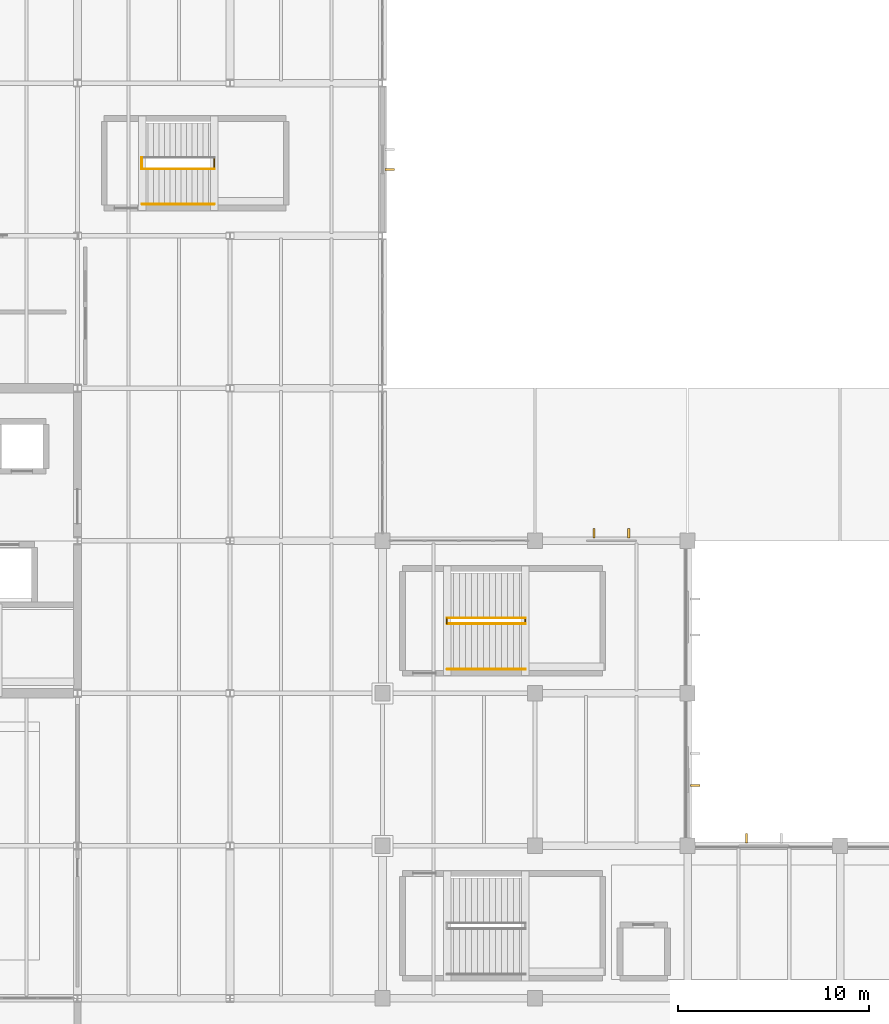
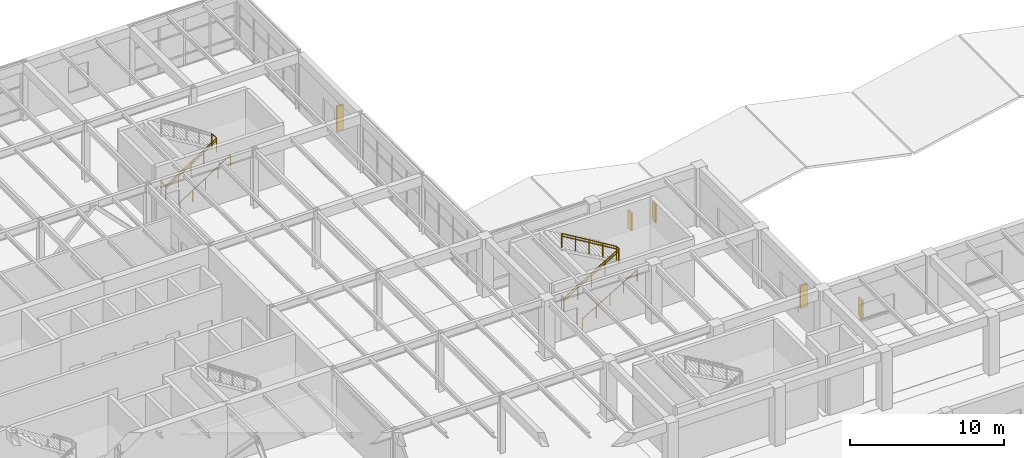
# One storey, part 53 of 60: 10 railings, 5 shading devices.
"""IFC4 building model written with IfcOpenShell, lengths in metres."""

import ifcopenshell
import ifcopenshell.guid

model = None  # the IFC model being written
_history = None  # IfcOwnerHistory: only IFC2X3 demands one
_inside = {}  # id of a spatial element -> (the spatial element, [elements in it])
_under = {}  # id of a project, library or spatial element -> (it, [spatial elements below it])
_declared = {}  # id of a project -> (the project, [libraries it declares])
_typed = {}  # id of a type object -> (the type object, [elements of that type])
_made_of = {}  # id of a material, layer set ... -> (it, [elements and type objects made of it])


def new_model(schema):
    """Start an empty IFC model of exactly this schema.

    Asked for "IFC4X3", IfcOpenShell would pick the latest addendum, in which some entities
    have other attributes; the version numbers below select the first issue.
    IFC2X3 requires an IfcOwnerHistory on every rooted entity: one is made here for all.
    """
    global model, _history
    if schema == "IFC4X3":
        model = ifcopenshell.file(schema_version=(4, 3, 0, 0))
    else:
        model = ifcopenshell.file(schema=schema)
    _inside.clear()
    _under.clear()
    _declared.clear()
    _typed.clear()
    _made_of.clear()
    _history = None
    if model.schema == "IFC2X3":
        org = make("IfcOrganization", Name="unknown")
        user = make(
            "IfcPersonAndOrganization",
            ThePerson=make("IfcPerson", FamilyName="unknown"),
            TheOrganization=org,
        )
        app = make(
            "IfcApplication",
            ApplicationDeveloper=org,
            Version="unknown",
            ApplicationFullName="unknown",
            ApplicationIdentifier="unknown",
        )
        _history = make(
            "IfcOwnerHistory",
            OwningUser=user,
            OwningApplication=app,
            ChangeAction="ADDED",
            CreationDate=0,
        )
    return model


def make(cls, **values):
    """One entity of the class cls with the attributes given. An attribute that is None is left unset."""
    return model.create_entity(
        cls, **{name: value for name, value in values.items() if value is not None}
    )


def rooted(cls, **values):
    """An entity with a GlobalId (a new one), such as an element, a storey or a relation."""
    return make(cls, GlobalId=ifcopenshell.guid.new(), OwnerHistory=_history, **values)


def si_unit(unit_type, name, prefix=None):
    """IfcSIUnit, for example si_unit("LENGTHUNIT", "METRE", prefix="MILLI")."""
    return make("IfcSIUnit", UnitType=unit_type, Prefix=prefix, Name=name)


def assignment(units):
    """IfcUnitAssignment: the units of a project."""
    return None if units is None else make("IfcUnitAssignment", Units=units)


def point(xyz):
    """IfcCartesianPoint."""
    return None if xyz is None else make("IfcCartesianPoint", Coordinates=xyz)


def direction(xyz):
    """IfcDirection."""
    return None if xyz is None else make("IfcDirection", DirectionRatios=xyz)


def frame(location, z_axis=None, x_axis=None):
    """IfcAxis2Placement3D, a coordinate frame: its origin and axes. An axis left out is left unset."""
    return make(
        "IfcAxis2Placement3D",
        Location=point(location),
        Axis=direction(z_axis),
        RefDirection=direction(x_axis),
    )


def frame_2d(location, x_axis=None):
    """IfcAxis2Placement2D, a coordinate frame in the plane: its origin and x axis."""
    return make(
        "IfcAxis2Placement2D", Location=point(location), RefDirection=direction(x_axis)
    )


def origin():
    """The frame at (0, 0, 0) with its axes left unset."""
    return frame((0.0, 0.0, 0.0))


def origin_2d():
    """The frame at (0, 0) in the plane with its x axis left unset."""
    return frame_2d((0.0, 0.0))


def place(relative_to, where):
    """IfcLocalPlacement: puts the frame where relative to a parent placement (None: the world)."""
    return make(
        "IfcLocalPlacement", PlacementRelTo=relative_to, RelativePlacement=where
    )


def context(
    kind, dimensions, precision=None, world=None, true_north=None, identifier=None
):
    """IfcGeometricRepresentationContext, for example the 3D "Model" context."""
    return make(
        "IfcGeometricRepresentationContext",
        ContextIdentifier=identifier,
        ContextType=kind,
        CoordinateSpaceDimension=dimensions,
        Precision=precision,
        WorldCoordinateSystem=world,
        TrueNorth=true_north,
    )


def subcontext(parent, identifier, kind, view, scale=None):
    """IfcGeometricRepresentationSubContext, for example "Body" below "Model"."""
    return make(
        "IfcGeometricRepresentationSubContext",
        ContextIdentifier=identifier,
        ContextType=kind,
        ParentContext=parent,
        TargetScale=scale,
        TargetView=view,
    )


def project(units=None, contexts=None):
    """IfcProject with its units and contexts."""
    return rooted(
        "IfcProject",
        Name="project",
        RepresentationContexts=contexts,
        UnitsInContext=assignment(units),
    )


def spatial(cls, under=None, at=None, **own):
    """A site, building, storey or space (cls), placed at a placement, below another one or the project."""
    s = rooted(cls, ObjectPlacement=at, **own)
    if under is not None:
        _under.setdefault(under.id(), (under, []))[1].append(s)
    return s


def profile(cls, at=None, kind="AREA", **sizes):
    """A parametric profile (cls). Its sizes go by their IFC names, for example OverallWidth=200.0."""
    return make(cls, ProfileType=kind, Position=at, **sizes)


def rectangle(**sizes):
    """IfcRectangleProfileDef."""
    return profile("IfcRectangleProfileDef", **sizes)


def circle(**sizes):
    """IfcCircleProfileDef."""
    return profile("IfcCircleProfileDef", **sizes)


def extrude(swept, where, along, depth):
    """IfcExtrudedAreaSolid: the profile swept, set in the frame where, extruded along a direction by depth."""
    return make(
        "IfcExtrudedAreaSolid",
        SweptArea=swept,
        Position=where,
        ExtrudedDirection=direction(along),
        Depth=depth,
    )


def shape(context_of_items, identifier, shape_type, items):
    """IfcShapeRepresentation: the items that make up one representation, for example the "Body"."""
    return make(
        "IfcShapeRepresentation",
        ContextOfItems=context_of_items,
        RepresentationIdentifier=identifier,
        RepresentationType=shape_type,
        Items=items,
    )


def material(Name=None, Category=None):
    """IfcMaterial."""
    return make("IfcMaterial", Name=Name, Category=Category)


def made_of(thing, what):
    """Note that an element or type object is made of a material, layer set ...; save() writes the relation."""
    if what is not None:
        _made_of.setdefault(what.id(), (what, []))[1].append(thing)
    return thing


def type_object(cls, material=None, **own):
    """A type object (cls), such as IfcWallType, which elements share."""
    return made_of(rooted(cls, **own), material)


def element(
    cls,
    number,
    at=None,
    inside=None,
    cuts=None,
    type_object=None,
    material=None,
    context=None,
    identifier="Body",
    shape_type=None,
    held_by="IfcProductDefinitionShape",
    body=None,
    shapes=None,
    **own,
):
    """One element of the class cls, such as IfcWall. Its Tag is "e" and its number.

    at: its placement. inside: the storey or other place that contains it. cuts: it is an
    opening in that element (IfcRelVoidsElement). A single representation is given by context,
    identifier, shape_type and body (its items); several are given by shapes. held_by: the class
    of the entity that holds the representations. save() writes the other relations.
    """
    e = rooted(cls, Tag="e%d" % number, ObjectPlacement=at, **own)
    if body is not None:
        shapes = [shape(context, identifier, shape_type, body)]
    if shapes is not None:
        e.Representation = make(held_by, Representations=shapes)
    if inside is not None:
        _inside.setdefault(inside.id(), (inside, []))[1].append(e)
    if cuts is not None:
        rooted(
            "IfcRelVoidsElement", RelatingBuildingElement=cuts, RelatedOpeningElement=e
        )
    if type_object is not None:
        _typed.setdefault(type_object.id(), (type_object, []))[1].append(e)
    return made_of(e, material)


def aggregate(whole, parts):
    """IfcRelAggregates: a whole, such as a stair, and the parts it consists of."""
    return rooted("IfcRelAggregates", RelatingObject=whole, RelatedObjects=parts)


def save(model, path):
    """Write the relations noted so far, then the file.

    IfcRelAggregates (storeys below a building ...), IfcRelContainedInSpatialStructure (elements
    in a storey), IfcRelDefinesByType, IfcRelAssociatesMaterial and IfcRelDeclares: one each for
    every whole, place, type object, material and project.
    """
    for whole, parts in _under.values():
        aggregate(whole, parts)
    for where, things in _inside.values():
        rooted(
            "IfcRelContainedInSpatialStructure",
            RelatedElements=things,
            RelatingStructure=where,
        )
    for kind, things in _typed.values():
        rooted("IfcRelDefinesByType", RelatedObjects=things, RelatingType=kind)
    for what, things in _made_of.values():
        rooted("IfcRelAssociatesMaterial", RelatedObjects=things, RelatingMaterial=what)
    for by, libraries in _declared.values():
        rooted("IfcRelDeclares", RelatingContext=by, RelatedDefinitions=libraries)
    model.write(path)


model = new_model("IFC4")

# Units and contexts
model_context = context("Model", 3, precision=1e-05, world=origin(), true_north=direction((0.0, 1.0)))
body_context = subcontext(model_context, "Body", "Model", "MODEL_VIEW")
ifc_project = project(units=[si_unit("LENGTHUNIT", "METRE"), si_unit("AREAUNIT", "SQUARE_METRE"), si_unit("VOLUMEUNIT", "CUBIC_METRE"), si_unit("PLANEANGLEUNIT", "RADIAN"), si_unit("MASSUNIT", "GRAM", prefix="KILO")], contexts=[model_context])

# Site, building, storey
site_placement = place(None, origin())
site = spatial("IfcSite", under=ifc_project, at=site_placement, CompositionType="ELEMENT")
building_placement = place(site_placement, origin())
building = spatial("IfcBuilding", under=site, at=building_placement, Name="Varnela Railside Interchange", CompositionType="ELEMENT")
storey_placement = place(building_placement, frame((0.0, 0.0, 6.300048828125)))
storey = spatial("IfcBuildingStorey", under=building, at=storey_placement, Name="L01", CompositionType="ELEMENT", Elevation=6.300048828125)

# Shading devices
ifc_material_1 = material(Name="Concrete C40 precast", Category="concrete")
shading_device_type = type_object("IfcShadingDeviceType", Name="Paulista Vertical Brise-Soleil BS-01", PredefinedType="USERDEFINED", material=ifc_material_1)
shading_device_1_placement = place(storey_placement, frame((52.385009765625, 81.47509765625, 0.949951171875), z_axis=(0.0, 0.0, 1.0), x_axis=(1.0, 0.0, 0.0)))
element("IfcShadingDevice", 1, at=shading_device_1_placement, inside=storey, type_object=shading_device_type, Name="Paulista Vertical Brise-Soleil BS-01 (L01)", ObjectType="FIN", PredefinedType="USERDEFINED", context=body_context, shape_type="SweptSolid", body=[
    extrude(rectangle(XDim=0.5, YDim=0.1201171875, at=origin_2d()), origin(), (0.0, 0.0, 1.0), 2.0),
])
for number, where, z_axis, x_axis, name in (
    (2, (63.090087890625, 62.405029296875, 0.949951171875), (0.0, 0.0, 1.0), (0.0, 1.0, 0.0), "Paulista Vertical Brise-Soleil BS-01 (L01)"),
    (3, (64.909912109375, 62.405029296875, 0.949951171875), (0.0, 0.0, 1.0), (0.0, 1.0, 0.0), "Paulista Vertical Brise-Soleil BS-01 (L01)"),
):
    element("IfcShadingDevice", number, at=place(storey_placement, frame(where, z_axis=z_axis, x_axis=x_axis)), inside=storey, type_object=shading_device_type, Name=name, ObjectType="FIN", PredefinedType="USERDEFINED", context=body_context, shape_type="SweptSolid", body=[
        extrude(rectangle(XDim=0.5, YDim=0.1201171875, at=origin_2d()), origin(), (0.0, 0.0, 1.0), 1.39990234375),
    ])
shading_device_2_placement = place(storey_placement, frame((68.405029296875, 49.159912109375, 0.94970703125), z_axis=(0.0, 0.0, 1.0), x_axis=(1.0, 0.0, 0.0)))
element("IfcShadingDevice", 4, at=shading_device_2_placement, inside=storey, type_object=shading_device_type, Name="Paulista Vertical Brise-Soleil BS-01 (L01)", ObjectType="FIN", PredefinedType="USERDEFINED", context=body_context, shape_type="SweptSolid", body=[
    extrude(rectangle(XDim=0.5, YDim=0.1201171875, at=origin_2d()), origin(), (0.0, 0.0, 1.0), 1.800048828125),
])
shading_device_3_placement = place(storey_placement, frame((71.090087890625, 46.405029296875, 0.949951171875), z_axis=(0.0, 0.0, 1.0), x_axis=(0.0, 1.0, 0.0)))
element("IfcShadingDevice", 5, at=shading_device_3_placement, inside=storey, type_object=shading_device_type, Name="Paulista Vertical Brise-Soleil BS-01 (L01)", ObjectType="FIN", PredefinedType="USERDEFINED", context=body_context, shape_type="SweptSolid", body=[
    extrude(rectangle(XDim=0.5, YDim=0.1201171875, at=origin_2d()), origin(), (0.0, 0.0, 1.0), 1.39990234375),
])

# Railings
ifc_material_2 = material(Name="Steel AR 350 (350 MPa)", Category="steel")
railing_type_1 = type_object("IfcRailingType", Name="Stair & Ramp Pitch Handrail HR-01", PredefinedType="HANDRAIL", material=ifc_material_2)
railing_1_placement = place(storey_placement, frame((55.39990234375, 57.64990234375, 0.0)))
element("IfcRailing", 6, at=railing_1_placement, inside=storey, type_object=railing_type_1, Name="Stair Handrail ST-C3 Flight 1 (RL-0301)", PredefinedType="HANDRAIL", context=body_context, shape_type="SweptSolid", body=[
    extrude(circle(Radius=0.02392578125, at=origin_2d()), frame((0.0, 0.0, 0.89599609375), z_axis=(0.858155786212, 0.0, 0.513389371327), x_axis=(0.0, 1.0, 0.0)), (0.0, 0.0, 1.0), 4.772216796875),
    extrude(circle(Radius=0.02099609375, at=origin_2d()), origin(), (0.0, 0.0, 1.0), 0.871826171875),
    extrude(circle(Radius=0.02099609375, at=origin_2d()), frame((1.02392578125, 0.0, 0.612548828125)), (0.0, 0.0, 1.0), 0.871826171875),
    extrude(circle(Radius=0.02099609375, at=origin_2d()), frame((2.047607421875, 0.0, 1.22509765625)), (0.0, 0.0, 1.0), 0.871826171875),
    extrude(circle(Radius=0.02099609375, at=origin_2d()), frame((3.0712890625, 0.0, 1.83740234375)), (0.0, 0.0, 1.0), 0.871826171875),
    extrude(circle(Radius=0.02099609375, at=origin_2d()), frame((4.09521484375, 0.0, 2.449951171875)), (0.0, 0.0, 1.0), 0.871826171875),
])
railing_2_placement = place(storey_placement, frame((59.4951171875, 57.949951171875, 2.449951171875)))
element("IfcRailing", 7, at=railing_2_placement, inside=storey, type_object=railing_type_1, Name="Stair Handrail ST-C3 Flight 2 (RL-0302)", PredefinedType="HANDRAIL", context=body_context, shape_type="SweptSolid", body=[
    extrude(circle(Radius=0.02392578125, at=origin_2d()), frame((0.0, 0.0, 0.89599609375), z_axis=(-0.858155786212, 0.0, 0.513389371327), x_axis=(0.0, -1.0, 0.0)), (0.0, 0.0, 1.0), 4.772216796875),
    extrude(circle(Radius=0.02099609375, at=origin_2d()), origin(), (0.0, 0.0, 1.0), 0.871826171875),
    extrude(circle(Radius=0.02099609375, at=origin_2d()), frame((-1.02392578125, 0.0, 0.612548828125)), (0.0, 0.0, 1.0), 0.871826171875),
    extrude(circle(Radius=0.02099609375, at=origin_2d()), frame((-2.047607421875, 0.0, 1.22509765625)), (0.0, 0.0, 1.0), 0.871826171875),
    extrude(circle(Radius=0.02099609375, at=origin_2d()), frame((-3.0712890625, 0.0, 1.83740234375)), (0.0, 0.0, 1.0), 0.871826171875),
    extrude(circle(Radius=0.02099609375, at=origin_2d()), frame((-4.09521484375, 0.0, 2.449951171875)), (0.0, 0.0, 1.0), 0.871826171875),
])
railing_3_placement = place(storey_placement, frame((39.39990234375, 81.5, 0.0)))
element("IfcRailing", 8, at=railing_3_placement, inside=storey, type_object=railing_type_1, Name="Stair Handrail ST-W1 Flight 1 (RL-0317)", PredefinedType="HANDRAIL", context=body_context, shape_type="SweptSolid", body=[
    extrude(circle(Radius=0.02392578125, at=origin_2d()), frame((0.0, 0.0, 0.89599609375), z_axis=(0.838500679196, 0.0, 0.544900551466), x_axis=(0.0, 1.0, 0.0)), (0.0, 0.0, 1.0), 4.49609375),
    extrude(circle(Radius=0.02099609375, at=origin_2d()), origin(), (0.0, 0.0, 1.0), 0.871826171875),
    extrude(circle(Radius=0.02099609375, at=origin_2d()), frame((0.9423828125, 0.0, 0.612548828125)), (0.0, 0.0, 1.0), 0.871826171875),
    extrude(circle(Radius=0.02099609375, at=origin_2d()), frame((1.885009765625, 0.0, 1.22509765625)), (0.0, 0.0, 1.0), 0.871826171875),
    extrude(circle(Radius=0.02099609375, at=origin_2d()), frame((2.82763671875, 0.0, 1.83740234375)), (0.0, 0.0, 1.0), 0.871826171875),
    extrude(circle(Radius=0.02099609375, at=origin_2d()), frame((3.77001953125, 0.0, 2.449951171875)), (0.0, 0.0, 1.0), 0.871826171875),
])
railing_type_2 = type_object("IfcRailingType", Name="Stair Well & Landing Guard GR-02", PredefinedType="GUARDRAIL", material=ifc_material_2)
railing_4_placement = place(storey_placement, frame((55.3701171875, 57.64990234375, 0.0)))
element("IfcRailing", 9, at=railing_4_placement, inside=storey, type_object=railing_type_2, Name="Stair Well Slot Guard ST-C3 on L01 (RL-0267)", PredefinedType="GUARDRAIL", context=body_context, shape_type="SweptSolid", body=[
    extrude(circle(Radius=0.02392578125, at=origin_2d()), frame((0.0, 0.0, 1.09619140625), z_axis=(0.0, 1.0, 0.0), x_axis=(-1.0, 0.0, 0.0)), (0.0, 0.0, 1.0), 0.300048828125),
    extrude(circle(Radius=0.02099609375, at=origin_2d()), origin(), (0.0, 0.0, 1.0), 1.072021484375),
    extrude(circle(Radius=0.02099609375, at=origin_2d()), frame((0.0, 0.300048828125, 0.0)), (0.0, 0.0, 1.0), 1.072021484375),
])
railing_5_placement = place(storey_placement, frame((55.39990234375, 57.64990234375, 0.0)))
element("IfcRailing", 10, at=railing_5_placement, inside=storey, type_object=railing_type_2, Name="Stair Guard ST-C3 Half-Landing (RL-0265)", PredefinedType="GUARDRAIL", context=body_context, shape_type="SweptSolid", body=[
    extrude(circle(Radius=0.02392578125, at=origin_2d()), frame((0.0, 0.0, 1.09619140625), z_axis=(0.858155786212, 0.0, 0.513389371327), x_axis=(0.0, 1.0, 0.0)), (0.0, 0.0, 1.0), 4.772216796875),
    extrude(circle(Radius=0.02392578125, at=origin_2d()), frame((4.09521484375, 0.0, 3.5458984375), z_axis=(0.0, 1.0, 0.0), x_axis=(-1.0, 0.0, 0.0)), (0.0, 0.0, 1.0), 0.300048828125),
    extrude(circle(Radius=0.02099609375, at=origin_2d()), origin(), (0.0, 0.0, 1.0), 1.072021484375),
    extrude(circle(Radius=0.02099609375, at=origin_2d()), frame((1.02392578125, 0.0, 0.612548828125)), (0.0, 0.0, 1.0), 1.072021484375),
    extrude(circle(Radius=0.02099609375, at=origin_2d()), frame((2.047607421875, 0.0, 1.22509765625)), (0.0, 0.0, 1.0), 1.072021484375),
    extrude(circle(Radius=0.02099609375, at=origin_2d()), frame((3.0712890625, 0.0, 1.83740234375)), (0.0, 0.0, 1.0), 1.072021484375),
    extrude(circle(Radius=0.02099609375, at=origin_2d()), frame((4.09521484375, 0.0, 2.449951171875)), (0.0, 0.0, 1.0), 1.072021484375),
    extrude(circle(Radius=0.02099609375, at=origin_2d()), frame((4.09521484375, 0.300048828125, 2.449951171875)), (0.0, 0.0, 1.0), 1.072021484375),
])
railing_6_placement = place(storey_placement, frame((59.4951171875, 57.949951171875, 2.449951171875)))
element("IfcRailing", 11, at=railing_6_placement, inside=storey, type_object=railing_type_2, Name="Stair Guard ST-C3 Upper Flight (RL-0266)", PredefinedType="GUARDRAIL", context=body_context, shape_type="SweptSolid", body=[
    extrude(circle(Radius=0.02392578125, at=origin_2d()), frame((0.0, 0.0, 1.09619140625), z_axis=(-0.858155786212, 0.0, 0.513389371327), x_axis=(0.0, -1.0, 0.0)), (0.0, 0.0, 1.0), 4.772216796875),
    extrude(circle(Radius=0.02099609375, at=origin_2d()), origin(), (0.0, 0.0, 1.0), 1.072021484375),
    extrude(circle(Radius=0.02099609375, at=origin_2d()), frame((-1.02392578125, 0.0, 0.612548828125)), (0.0, 0.0, 1.0), 1.072021484375),
    extrude(circle(Radius=0.02099609375, at=origin_2d()), frame((-2.047607421875, 0.0, 1.22509765625)), (0.0, 0.0, 1.0), 1.072021484375),
    extrude(circle(Radius=0.02099609375, at=origin_2d()), frame((-3.0712890625, 0.0, 1.83740234375)), (0.0, 0.0, 1.0), 1.072021484375),
    extrude(circle(Radius=0.02099609375, at=origin_2d()), frame((-4.09521484375, 0.0, 2.449951171875)), (0.0, 0.0, 1.0), 1.072021484375),
])
railing_7_placement = place(storey_placement, frame((39.3701171875, 81.5, 0.0)))
element("IfcRailing", 12, at=railing_7_placement, inside=storey, type_object=railing_type_2, Name="Stair Well Slot Guard ST-W1 on L01 (RL-0293)", PredefinedType="GUARDRAIL", context=body_context, shape_type="SweptSolid", body=[
    extrude(circle(Radius=0.02392578125, at=origin_2d()), frame((0.0, 0.0, 1.09619140625), z_axis=(0.0, 1.0, 0.0), x_axis=(-1.0, 0.0, 0.0)), (0.0, 0.0, 1.0), 0.60009765625),
    extrude(circle(Radius=0.02099609375, at=origin_2d()), origin(), (0.0, 0.0, 1.0), 1.072021484375),
    extrude(circle(Radius=0.02099609375, at=origin_2d()), frame((0.0, 0.60009765625, 0.0)), (0.0, 0.0, 1.0), 1.072021484375),
])
railing_8_placement = place(storey_placement, frame((39.39990234375, 81.5, 0.0)))
element("IfcRailing", 13, at=railing_8_placement, inside=storey, type_object=railing_type_2, Name="Stair Guard ST-W1 Half-Landing (RL-0291)", PredefinedType="GUARDRAIL", context=body_context, shape_type="SweptSolid", body=[
    extrude(circle(Radius=0.02392578125, at=origin_2d()), frame((0.0, 0.0, 1.09619140625), z_axis=(0.838500679196, 0.0, 0.544900551466), x_axis=(0.0, 1.0, 0.0)), (0.0, 0.0, 1.0), 4.49609375),
    extrude(circle(Radius=0.02392578125, at=origin_2d()), frame((3.77001953125, 0.0, 3.5458984375), z_axis=(0.0, 1.0, 0.0), x_axis=(-1.0, 0.0, 0.0)), (0.0, 0.0, 1.0), 0.60009765625),
    extrude(circle(Radius=0.02099609375, at=origin_2d()), origin(), (0.0, 0.0, 1.0), 1.072021484375),
    extrude(circle(Radius=0.02099609375, at=origin_2d()), frame((0.9423828125, 0.0, 0.612548828125)), (0.0, 0.0, 1.0), 1.072021484375),
    extrude(circle(Radius=0.02099609375, at=origin_2d()), frame((1.885009765625, 0.0, 1.22509765625)), (0.0, 0.0, 1.0), 1.072021484375),
    extrude(circle(Radius=0.02099609375, at=origin_2d()), frame((2.82763671875, 0.0, 1.83740234375)), (0.0, 0.0, 1.0), 1.072021484375),
    extrude(circle(Radius=0.02099609375, at=origin_2d()), frame((3.77001953125, 0.0, 2.449951171875)), (0.0, 0.0, 1.0), 1.072021484375),
    extrude(circle(Radius=0.02099609375, at=origin_2d()), frame((3.77001953125, 0.60009765625, 2.449951171875)), (0.0, 0.0, 1.0), 1.072021484375),
])
railing_type_3 = type_object("IfcRailingType", Name="Wall-Mounted Stair Handrail HR-02", PredefinedType="HANDRAIL", material=ifc_material_2)
railing_9_placement = place(storey_placement, frame((55.39990234375, 55.260009765625, 0.0)))
element("IfcRailing", 14, at=railing_9_placement, inside=storey, type_object=railing_type_3, Name="Wall Handrail ST-C3 Flight 1 (RL-0321)", PredefinedType="HANDRAIL", context=body_context, shape_type="SweptSolid", body=[
    extrude(circle(Radius=0.02392578125, at=origin_2d()), frame((0.0, 0.0, 0.89599609375), z_axis=(0.858155786212, 0.0, 0.513389371327), x_axis=(0.0, 1.0, 0.0)), (0.0, 0.0, 1.0), 4.772216796875),
    extrude(circle(Radius=0.02099609375, at=origin_2d()), origin(), (0.0, 0.0, 1.0), 0.871826171875),
    extrude(circle(Radius=0.02099609375, at=origin_2d()), frame((1.02392578125, 0.0, 0.612548828125)), (0.0, 0.0, 1.0), 0.871826171875),
    extrude(circle(Radius=0.02099609375, at=origin_2d()), frame((2.047607421875, 0.0, 1.22509765625)), (0.0, 0.0, 1.0), 0.871826171875),
    extrude(circle(Radius=0.02099609375, at=origin_2d()), frame((3.0712890625, 0.0, 1.83740234375)), (0.0, 0.0, 1.0), 0.871826171875),
    extrude(circle(Radius=0.02099609375, at=origin_2d()), frame((4.09521484375, 0.0, 2.449951171875)), (0.0, 0.0, 1.0), 0.871826171875),
])
railing_10_placement = place(storey_placement, frame((39.39990234375, 79.659912109375, 0.0)))
element("IfcRailing", 15, at=railing_10_placement, inside=storey, type_object=railing_type_3, Name="Wall Handrail ST-W1 Flight 1 (RL-0329)", PredefinedType="HANDRAIL", context=body_context, shape_type="SweptSolid", body=[
    extrude(circle(Radius=0.02392578125, at=origin_2d()), frame((0.0, 0.0, 0.89599609375), z_axis=(0.838500679196, 0.0, 0.544900551466), x_axis=(0.0, 1.0, 0.0)), (0.0, 0.0, 1.0), 4.49609375),
    extrude(circle(Radius=0.02099609375, at=origin_2d()), origin(), (0.0, 0.0, 1.0), 0.871826171875),
    extrude(circle(Radius=0.02099609375, at=origin_2d()), frame((0.9423828125, 0.0, 0.612548828125)), (0.0, 0.0, 1.0), 0.871826171875),
    extrude(circle(Radius=0.02099609375, at=origin_2d()), frame((1.885009765625, 0.0, 1.22509765625)), (0.0, 0.0, 1.0), 0.871826171875),
    extrude(circle(Radius=0.02099609375, at=origin_2d()), frame((2.82763671875, 0.0, 1.83740234375)), (0.0, 0.0, 1.0), 0.871826171875),
    extrude(circle(Radius=0.02099609375, at=origin_2d()), frame((3.77001953125, 0.0, 2.449951171875)), (0.0, 0.0, 1.0), 0.871826171875),
])

save(model, "model.ifc")
